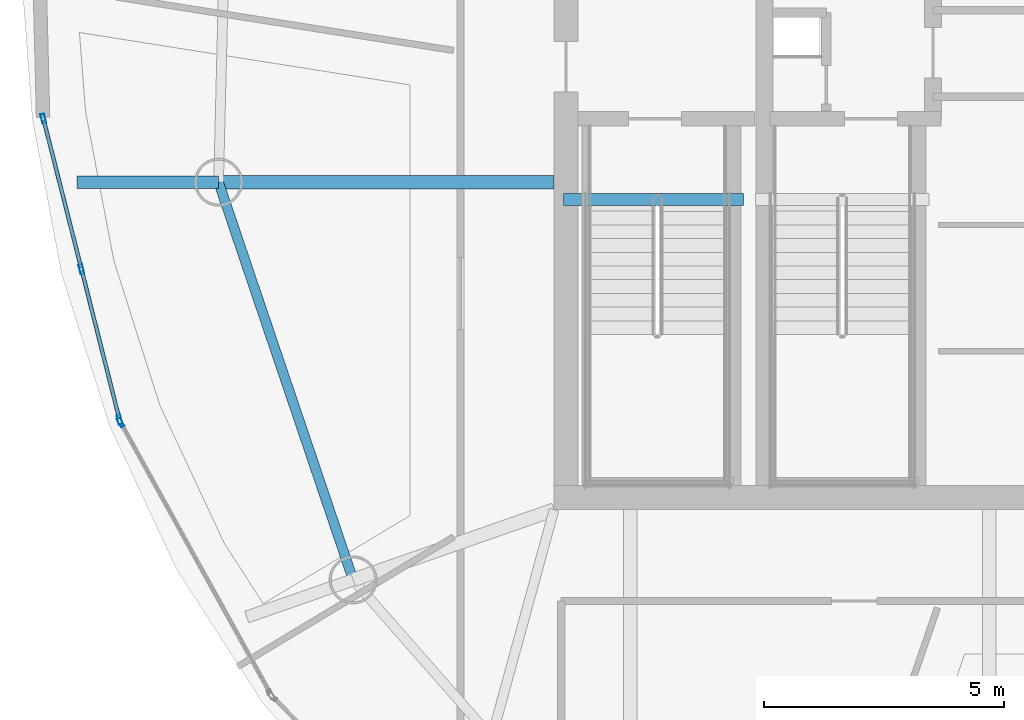
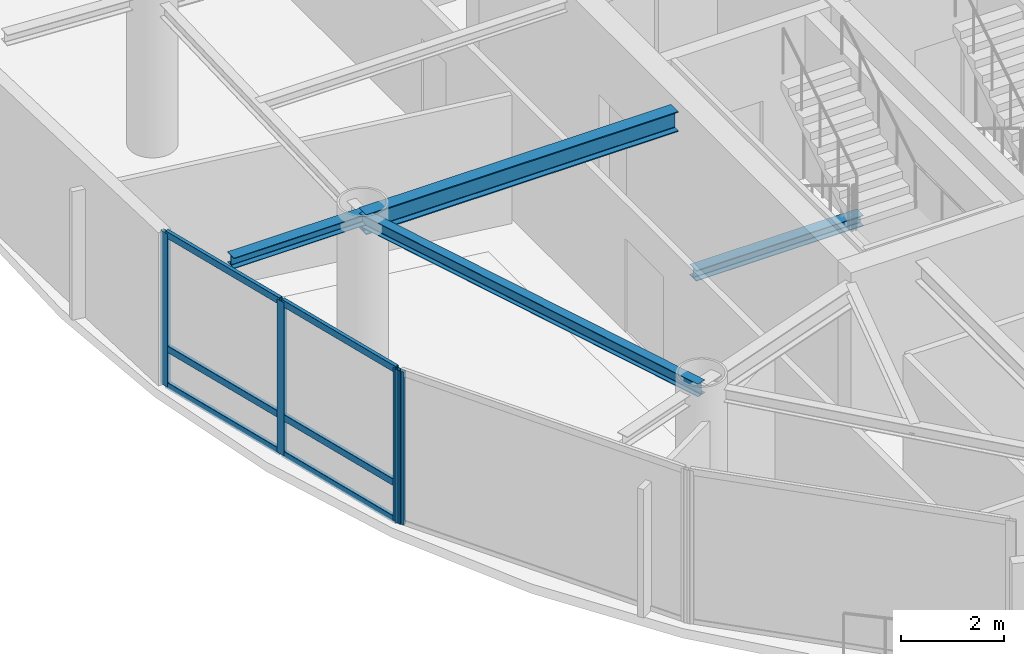
# One storey, part 5 of 20: 10 members, 4 beams, 2 elements without a shape of their own.
"""IFC4 building model written with IfcOpenShell, lengths in metres."""

from ifc_helpers import new_model, si_unit, direction, frame, origin, origin_2d, place, context, subcontext, project, spatial, hollow_rectangle, i_section, extrude, material, layer, layer_set, material_profile, profile_set, type_object, element, aggregate, save


model = new_model("IFC4")

# Units and contexts
model_context = context("Model", 3, precision=1e-05, world=origin(), true_north=direction((0.0, 1.0)))
body_context = subcontext(model_context, "Body", "Model", "MODEL_VIEW")
ifc_project = project(units=[si_unit("LENGTHUNIT", "METRE"), si_unit("AREAUNIT", "SQUARE_METRE"), si_unit("VOLUMEUNIT", "CUBIC_METRE"), si_unit("PLANEANGLEUNIT", "RADIAN"), si_unit("MASSUNIT", "GRAM", prefix="KILO")], contexts=[model_context])

# Site, building, storey
site_placement = place(None, origin())
site = spatial("IfcSite", under=ifc_project, at=site_placement, CompositionType="ELEMENT")
building_placement = place(site_placement, origin())
building = spatial("IfcBuilding", under=site, at=building_placement, Name="Bramvorn Convention Spire", CompositionType="ELEMENT")
storey_placement = place(building_placement, frame((0.0, 0.0, 245.89990234375)))
storey = spatial("IfcBuildingStorey", under=building, at=storey_placement, Name="L62", CompositionType="ELEMENT", Elevation=245.89990234375)

# Beams
ifc_material_1 = material(Name="Steel CSA G40.21 Grade 350 (350W)", Category="steel")
ifc_material_profile_1 = material_profile(ifc_material_1, i_section(OverallWidth=0.25390625, OverallDepth=0.2529296875, WebThickness=0.008544921875, FlangeThickness=0.01416015625, FilletRadius=0.011962890625, at=origin_2d()))
ifc_profile_set_1 = profile_set([ifc_material_profile_1], Name="Steel CSA G40.21 Grade 350 (350W) - W250X73")
beam_type_1 = type_object("IfcBeamType", Name="BM-W250X73", PredefinedType="BEAM", material=ifc_profile_set_1)
beam_1_placement = place(storey_placement, frame((19.765380859375, 25.37060546875, 3.49853515625), z_axis=(-1.0, 0.0, 0.0), x_axis=(0.0, -1.0, 0.0)))
element("IfcBeam", 1, at=beam_1_placement, inside=storey, type_object=beam_type_1, Name="L62 slab-edge cantilever tip beam MC12", PredefinedType="BEAM", context=body_context, shape_type="SweptSolid", body=[
    extrude(i_section(OverallWidth=0.25390625, OverallDepth=0.2529296875, WebThickness=0.008544921875, FlangeThickness=0.01416015625, FilletRadius=0.011962890625, at=origin_2d()), origin(), (0.0, 0.0, 1.0), 2.9521484375),
])
beam_2_placement = place(storey_placement, frame((26.949951171875, 25.010009765625, -0.12646484375), z_axis=(1.0, 0.0, 0.0), x_axis=(0.0, 1.0, 0.0)))
element("IfcBeam", 2, at=beam_2_placement, inside=storey, type_object=beam_type_1, Name="L62 ST1 stair arrival header beam", PredefinedType="BEAM", context=body_context, shape_type="SweptSolid", body=[
    extrude(i_section(OverallWidth=0.25390625, OverallDepth=0.2529296875, WebThickness=0.008544921875, FlangeThickness=0.01416015625, FilletRadius=0.011962890625, at=origin_2d()), origin(), (0.0, 0.0, 1.0), 3.739990234375),
])
ifc_material_profile_2 = material_profile(ifc_material_1, i_section(OverallWidth=0.202880859375, OverallDepth=0.302978515625, WebThickness=0.007568359375, FlangeThickness=0.01318359375, FilletRadius=0.013916015625, at=origin_2d()))
ifc_profile_set_2 = profile_set([ifc_material_profile_2], Name="Steel CSA G40.21 Grade 350 (350W) - W310X60")
beam_type_2 = type_object("IfcBeamType", Name="BM-W310X60", PredefinedType="JOIST", material=ifc_profile_set_2)
beam_3_placement = place(storey_placement, frame((19.765380859375, 25.37060546875, 3.4736328125), z_axis=(0.320531023763, -0.947238018032, 0.0), x_axis=(0.947238018032, 0.320531023763, 0.0)))
element("IfcBeam", 3, at=beam_3_placement, inside=storey, type_object=beam_type_2, Name="L62 mega-column ring beam 12", PredefinedType="JOIST", context=body_context, shape_type="SweptSolid", body=[
    extrude(i_section(OverallWidth=0.202880859375, OverallDepth=0.302978515625, WebThickness=0.007568359375, FlangeThickness=0.01318359375, FilletRadius=0.013916015625, at=origin_2d()), origin(), (0.0, 0.0, 1.0), 8.74169921875),
])
ifc_material_profile_3 = material_profile(ifc_material_1, i_section(OverallWidth=0.283935546875, OverallDepth=0.47607421875, WebThickness=0.014892578125, FlangeThickness=0.02392578125, FilletRadius=0.01806640625, at=origin_2d()))
ifc_profile_set_3 = profile_set([ifc_material_profile_3], Name="Steel CSA G40.21 Grade 350 (350W) - W460X158")
beam_type_3 = type_object("IfcBeamType", Name="BM-W460X158", PredefinedType="SPANDREL", material=ifc_profile_set_3)
beam_4_placement = place(storey_placement, frame((26.75, 25.37060546875, 3.38720703125), z_axis=(-1.0, 0.0, 0.0), x_axis=(0.0, -1.0, 0.0)))
element("IfcBeam", 4, at=beam_4_placement, inside=storey, type_object=beam_type_3, Name="L62 radial floor girder MC12", PredefinedType="SPANDREL", context=body_context, shape_type="SweptSolid", body=[
    extrude(i_section(OverallWidth=0.283935546875, OverallDepth=0.47607421875, WebThickness=0.014892578125, FlangeThickness=0.02392578125, FilletRadius=0.01806640625, at=origin_2d()), origin(), (0.0, 0.0, 1.0), 6.984619140625),
])

# Curtain wall, members
ifc_material_2 = material(Name="Anodised Bronze Unitised Curtain Wall", Category="aluminium")
ifc_layer = layer(ifc_material_2, 0.179931640625)
ifc_layer_set = layer_set([ifc_layer], Name="Anodised Bronze Unitised Curtain Wall - CW-OFF-FRIT")
curtain_wall_type = type_object("IfcCurtainWallType", Name="CW-OFF-FRIT", PredefinedType="USERDEFINED", material=ifc_layer_set)
curtain_wall_1_placement = place(storey_placement, origin())
curtain_wall_1 = element("IfcCurtainWall", 5, at=curtain_wall_1_placement, inside=storey, type_object=curtain_wall_type, Name="L62 fritted glass curtain wall 17", ObjectType="UNITISED CURTAIN WALL", PredefinedType="USERDEFINED")
ifc_material_3 = material(Name="Anodised Bronze Aluminium 6063-T6", Category="aluminium")
ifc_material_profile_4 = material_profile(ifc_material_3, hollow_rectangle(XDim=0.080078125, YDim=0.199951171875, WallThickness=0.00390625, InnerFilletRadius=0.0009765625, OuterFilletRadius=0.00390625, at=origin_2d()))
ifc_profile_set_4 = profile_set([ifc_material_profile_4], Name="Anodised Bronze Aluminium 6063-T6 - CWM80X200")
member_type_1 = type_object("IfcMemberType", Name="CW-MUL-180", PredefinedType="MULLION", material=ifc_profile_set_4)
member_1_placement = place(storey_placement, frame((17.703857421875, 20.424072265625, 0.0), z_axis=(0.0, 0.0, 1.0), x_axis=(-0.969477303814, -0.245181070619, 0.0)))
member_1 = element("IfcMember", 6, at=member_1_placement, type_object=member_type_1, Name="CW3 mullion 1", PredefinedType="MULLION", context=body_context, shape_type="SweptSolid", body=[
    extrude(hollow_rectangle(XDim=0.080078125, YDim=0.199951171875, WallThickness=0.00390625, InnerFilletRadius=0.0009765625, OuterFilletRadius=0.00390625, at=origin_2d()), origin(), (0.0, 0.0, 1.0), 3.625),
])
member_2_placement = place(storey_placement, frame((16.9111328125, 23.558349609375, 0.0), z_axis=(0.0, 0.0, 1.0), x_axis=(-0.969477303814, -0.245181070619, 0.0)))
member_2 = element("IfcMember", 7, at=member_2_placement, type_object=member_type_1, Name="CW3 mullion 2", PredefinedType="MULLION", context=body_context, shape_type="SweptSolid", body=[
    extrude(hollow_rectangle(XDim=0.080078125, YDim=0.199951171875, WallThickness=0.00390625, InnerFilletRadius=0.0009765625, OuterFilletRadius=0.00390625, at=origin_2d()), origin(), (0.0, 0.0, 1.0), 3.625),
])
member_3_placement = place(storey_placement, frame((16.118408203125, 26.69287109375, 0.0), z_axis=(0.0, 0.0, 1.0), x_axis=(-0.969477303814, -0.245181070619, 0.0)))
member_3 = element("IfcMember", 8, at=member_3_placement, type_object=member_type_1, Name="CW3 mullion 3", PredefinedType="MULLION", context=body_context, shape_type="SweptSolid", body=[
    extrude(hollow_rectangle(XDim=0.080078125, YDim=0.199951171875, WallThickness=0.00390625, InnerFilletRadius=0.0009765625, OuterFilletRadius=0.00390625, at=origin_2d()), origin(), (0.0, 0.0, 1.0), 3.625),
])

# Curtain wall, member
curtain_wall_2_placement = place(storey_placement, origin())
curtain_wall_2 = element("IfcCurtainWall", 9, at=curtain_wall_2_placement, inside=storey, type_object=curtain_wall_type, Name="L62 fritted glass curtain wall 18", ObjectType="UNITISED CURTAIN WALL", PredefinedType="USERDEFINED")
member_4_placement = place(storey_placement, frame((17.7255859375, 20.36865234375, 0.0), z_axis=(0.0, 0.0, 1.0), x_axis=(-0.875298880073, -0.483582330677, 0.0)))
member_4 = element("IfcMember", 10, at=member_4_placement, type_object=member_type_1, Name="CW3 mullion 2", PredefinedType="MULLION", context=body_context, shape_type="SweptSolid", body=[
    extrude(hollow_rectangle(XDim=0.080078125, YDim=0.199951171875, WallThickness=0.00390625, InnerFilletRadius=0.0009765625, OuterFilletRadius=0.00390625, at=origin_2d()), origin(), (0.0, 0.0, 1.0), 3.625),
])
aggregate(curtain_wall_2, [member_4])

# Member
ifc_material_profile_5 = material_profile(ifc_material_3, hollow_rectangle(XDim=0.080078125, YDim=0.159912109375, WallThickness=0.00390625, InnerFilletRadius=0.0009765625, OuterFilletRadius=0.00390625, at=origin_2d()))
ifc_profile_set_5 = profile_set([ifc_material_profile_5], Name="Anodised Bronze Aluminium 6063-T6 - CWT80X160")
member_type_2 = type_object("IfcMemberType", Name="CW-TRN-150", PredefinedType="USERDEFINED", material=ifc_profile_set_5)
member_5_placement = place(storey_placement, frame((17.696533203125, 20.453125, 0.030029296875), z_axis=(-0.245214091339, 0.969468952267, 0.0), x_axis=(-0.969468952267, -0.245214091339, 0.0)))
member_5 = element("IfcMember", 11, at=member_5_placement, type_object=member_type_2, Name="CW3 transom 1.1", ObjectType="TRANSOM", PredefinedType="USERDEFINED", context=body_context, shape_type="SweptSolid", body=[
    extrude(hollow_rectangle(XDim=0.080078125, YDim=0.159912109375, WallThickness=0.00390625, InnerFilletRadius=0.0009765625, OuterFilletRadius=0.00390625, at=origin_2d()), origin(), (0.0, 0.0, 1.0), 3.173095703125),
])

member_6_placement = place(storey_placement, frame((17.696533203125, 20.453125, 0.900146484375), z_axis=(-0.245214091339, 0.969468952267, 0.0), x_axis=(-0.969468952267, -0.245214091339, 0.0)))
member_6 = element("IfcMember", 12, at=member_6_placement, type_object=member_type_2, Name="CW3 transom 1.2", ObjectType="TRANSOM", PredefinedType="USERDEFINED", context=body_context, shape_type="SweptSolid", body=[
    extrude(hollow_rectangle(XDim=0.080078125, YDim=0.159912109375, WallThickness=0.00390625, InnerFilletRadius=0.0009765625, OuterFilletRadius=0.00390625, at=origin_2d()), origin(), (0.0, 0.0, 1.0), 3.173095703125),
])

member_7_placement = place(storey_placement, frame((17.696533203125, 20.453125, 3.59521484375), z_axis=(-0.245214091339, 0.969468952267, 0.0), x_axis=(-0.969468952267, -0.245214091339, 0.0)))
member_7 = element("IfcMember", 13, at=member_7_placement, type_object=member_type_2, Name="CW3 transom 1.3", ObjectType="TRANSOM", PredefinedType="USERDEFINED", context=body_context, shape_type="SweptSolid", body=[
    extrude(hollow_rectangle(XDim=0.080078125, YDim=0.159912109375, WallThickness=0.00390625, InnerFilletRadius=0.0009765625, OuterFilletRadius=0.00390625, at=origin_2d()), origin(), (0.0, 0.0, 1.0), 3.173095703125),
])

member_8_placement = place(storey_placement, frame((16.90380859375, 23.58740234375, 0.030029296875), z_axis=(-0.245195801439, 0.969473578266, 0.0), x_axis=(-0.969473578266, -0.245195801439, 0.0)))
member_8 = element("IfcMember", 14, at=member_8_placement, type_object=member_type_2, Name="CW3 transom 2.1", ObjectType="TRANSOM", PredefinedType="USERDEFINED", context=body_context, shape_type="SweptSolid", body=[
    extrude(hollow_rectangle(XDim=0.080078125, YDim=0.159912109375, WallThickness=0.00390625, InnerFilletRadius=0.0009765625, OuterFilletRadius=0.00390625, at=origin_2d()), origin(), (0.0, 0.0, 1.0), 3.17333984375),
])

member_9_placement = place(storey_placement, frame((16.90380859375, 23.58740234375, 0.900146484375), z_axis=(-0.245195801439, 0.969473578266, 0.0), x_axis=(-0.969473578266, -0.245195801439, 0.0)))
member_9 = element("IfcMember", 15, at=member_9_placement, type_object=member_type_2, Name="CW3 transom 2.2", ObjectType="TRANSOM", PredefinedType="USERDEFINED", context=body_context, shape_type="SweptSolid", body=[
    extrude(hollow_rectangle(XDim=0.080078125, YDim=0.159912109375, WallThickness=0.00390625, InnerFilletRadius=0.0009765625, OuterFilletRadius=0.00390625, at=origin_2d()), origin(), (0.0, 0.0, 1.0), 3.17333984375),
])

member_10_placement = place(storey_placement, frame((16.90380859375, 23.58740234375, 3.59521484375), z_axis=(-0.245195801439, 0.969473578266, 0.0), x_axis=(-0.969473578266, -0.245195801439, 0.0)))
member_10 = element("IfcMember", 16, at=member_10_placement, type_object=member_type_2, Name="CW3 transom 2.3", ObjectType="TRANSOM", PredefinedType="USERDEFINED", context=body_context, shape_type="SweptSolid", body=[
    extrude(hollow_rectangle(XDim=0.080078125, YDim=0.159912109375, WallThickness=0.00390625, InnerFilletRadius=0.0009765625, OuterFilletRadius=0.00390625, at=origin_2d()), origin(), (0.0, 0.0, 1.0), 3.17333984375),
])

aggregate(curtain_wall_1, [member_1, member_2, member_3, member_5, member_6, member_7, member_8, member_9, member_10])

save(model, "model.ifc")
